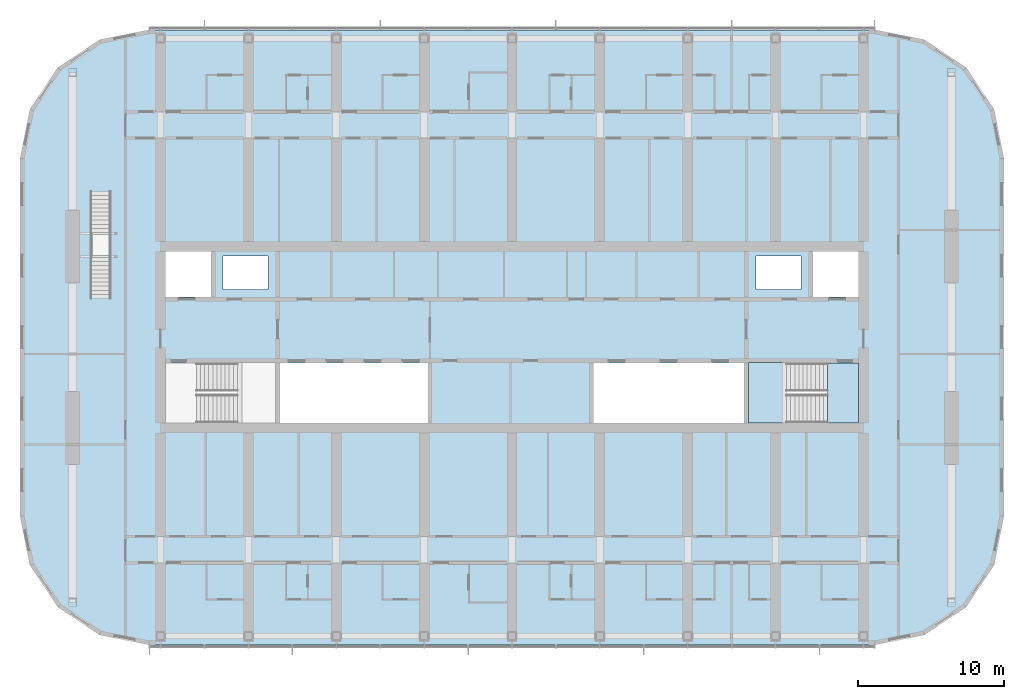
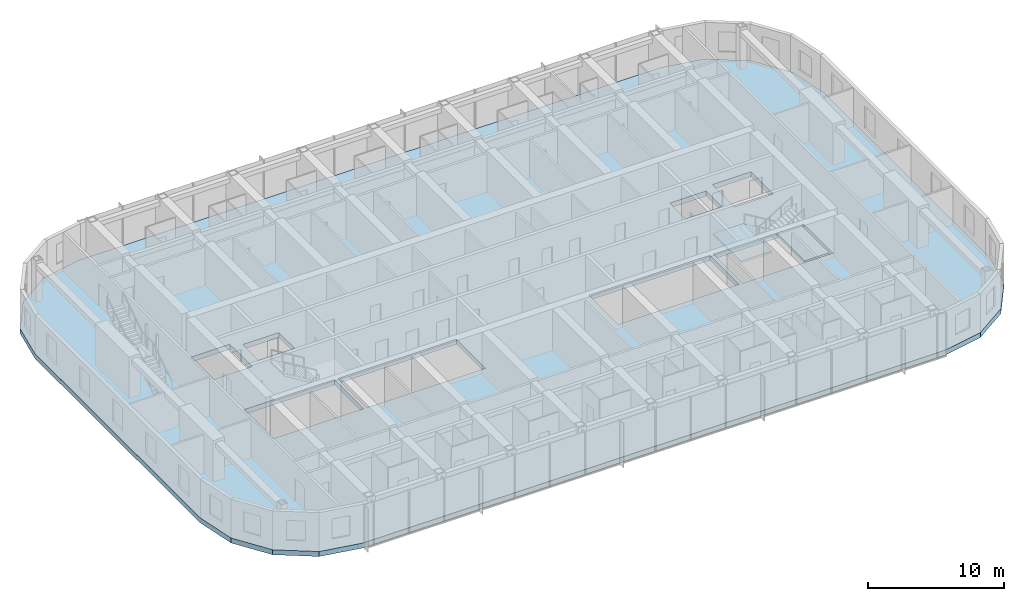
# One storey, part 11 of 28: 3 slabs, 1 element without a shape of its own.
"""IFC4 building model written with IfcOpenShell, lengths in metres."""

from ifc_helpers import new_model, si_unit, direction, frame, origin, place, context, subcontext, project, spatial, polyline, outline, extrude, material, layer, layer_set, type_object, element, aggregate, save


model = new_model("IFC4")

# Units and contexts
model_context = context("Model", 3, precision=1e-05, world=origin(), true_north=direction((0.0, 1.0)))
body_context = subcontext(model_context, "Body", "Model", "MODEL_VIEW")
ifc_project = project(units=[si_unit("LENGTHUNIT", "METRE"), si_unit("AREAUNIT", "SQUARE_METRE"), si_unit("VOLUMEUNIT", "CUBIC_METRE"), si_unit("PLANEANGLEUNIT", "RADIAN"), si_unit("MASSUNIT", "GRAM", prefix="KILO")], contexts=[model_context])

# Site, building, storey
site_placement = place(None, origin())
site = spatial("IfcSite", under=ifc_project, at=site_placement, CompositionType="ELEMENT")
building_placement = place(site_placement, origin())
building = spatial("IfcBuilding", under=site, at=building_placement, Name="Orbita Commons", CompositionType="ELEMENT")
storey_placement = place(building_placement, frame((0.0, 0.0, 216.550048828125)))
storey = spatial("IfcBuildingStorey", under=building, at=storey_placement, Name="L53", CompositionType="ELEMENT", Elevation=216.550048828125)

# Slab
ifc_material_1 = material(Name="Concrete C40/50", Category="concrete")
ifc_layer_1 = layer(ifc_material_1, 0.449951171875)
ifc_layer_set_1 = layer_set([ifc_layer_1], Name="Concrete C40/50")
slab_type_1 = type_object("IfcSlabType", Name="Floor slab 450", PredefinedType="FLOOR", material=ifc_layer_set_1)
slab_1_placement = place(storey_placement, frame((0.0, 0.0, -0.449951171875)))
element("IfcSlab", 1, at=slab_1_placement, inside=storey, type_object=slab_type_1, Name="Floor slab L53", PredefinedType="FLOOR", context=body_context, shape_type="SweptSolid", body=[
    extrude(outline(polyline([(66.800048828125, 11.0), (70.167724609375, 11.669921875), (73.0224609375, 13.577392578125), (74.93017578125, 16.432373046875), (75.60009765625, 19.800048828125), (75.60009765625, 44.199951171875), (74.93017578125, 47.567626953125), (73.0224609375, 50.422607421875), (70.167724609375, 52.330078125), (66.800048828125, 53.0), (17.199951171875, 53.0), (13.832275390625, 52.330078125), (10.9775390625, 50.422607421875), (9.06982421875, 47.567626953125), (8.39990234375, 44.199951171875), (8.39990234375, 19.800048828125), (9.06982421875, 16.432373046875), (10.9775390625, 13.577392578125), (13.832275390625, 11.669921875), (17.199951171875, 11.0), (66.800048828125, 11.0)]), holes=[polyline([(18.14990234375, 25.949951171875), (25.85009765625, 25.949951171875), (25.85009765625, 30.25), (18.14990234375, 30.25), (18.14990234375, 25.949951171875)]), polyline([(58.14990234375, 25.949951171875), (65.85009765625, 25.949951171875), (65.85009765625, 30.25), (58.14990234375, 30.25), (58.14990234375, 25.949951171875)]), polyline([(18.14990234375, 34.75), (21.449951171875, 34.75), (21.449951171875, 38.050048828125), (18.14990234375, 38.050048828125), (18.14990234375, 34.75)]), polyline([(62.550048828125, 34.75), (65.85009765625, 34.75), (65.85009765625, 38.050048828125), (62.550048828125, 38.050048828125), (62.550048828125, 34.75)]), polyline([(22.25, 35.25), (25.35009765625, 35.25), (25.35009765625, 37.550048828125), (22.25, 37.550048828125), (22.25, 35.25)]), polyline([(58.64990234375, 35.25), (61.75, 35.25), (61.75, 37.550048828125), (58.64990234375, 37.550048828125), (58.64990234375, 35.25)]), polyline([(26.14990234375, 25.949951171875), (36.25, 25.949951171875), (36.25, 30.25), (26.14990234375, 30.25), (26.14990234375, 25.949951171875)]), polyline([(47.550048828125, 25.949951171875), (57.85009765625, 25.949951171875), (57.85009765625, 30.25), (47.550048828125, 30.25), (47.550048828125, 25.949951171875)])]), origin(), (0.0, 0.0, 1.0), 0.449951171875),
])

# Stair, slabs
ifc_material_2 = material(Name="Precast concrete C40/50", Category="concrete")
stair_type = type_object("IfcStairType", Name="Exit stair S2 2 flights 11 risers 170", PredefinedType="HALF_TURN_STAIR", material=ifc_material_2)
stair_placement = place(storey_placement, origin())
stair = element("IfcStair", 2, at=stair_placement, inside=storey, type_object=stair_type, Name="Exit stair S2 L53", PredefinedType="HALF_TURN_STAIR")
ifc_material_3 = material(Name="Concrete C40/50", Category="concrete")
ifc_layer_2 = layer(ifc_material_3, 0.199951171875)
ifc_layer_set_2 = layer_set([ifc_layer_2], Name="Concrete C40/50")
slab_type_2 = type_object("IfcSlabType", Name="Stair landing 200", PredefinedType="LANDING", material=ifc_layer_set_2)
slab_2_placement = place(storey_placement, frame((0.0, 0.0, -0.199951171875)))
slab_2 = element("IfcSlab", 3, at=slab_2_placement, type_object=slab_type_2, Name="S2 landing 1", PredefinedType="LANDING", context=body_context, shape_type="SweptSolid", body=[
    extrude(outline(polyline([(63.550048828125, 26.14990234375), (65.64990234375, 26.14990234375), (65.64990234375, 30.25), (63.550048828125, 30.25), (63.550048828125, 26.14990234375)])), origin(), (0.0, 0.0, 1.0), 0.199951171875),
])
slab_3_placement = place(storey_placement, frame((0.0, 0.0, 1.675048828125)))
slab_3 = element("IfcSlab", 4, at=slab_3_placement, type_object=slab_type_2, Name="S2 landing 2", PredefinedType="LANDING", context=body_context, shape_type="SweptSolid", body=[
    extrude(outline(polyline([(58.135009765625, 26.135009765625), (60.75, 26.135009765625), (60.75, 30.264892578125), (58.135009765625, 30.264892578125), (58.135009765625, 26.135009765625)])), origin(), (0.0, 0.0, 1.0), 0.199951171875),
])
aggregate(stair, [slab_2, slab_3])

save(model, "model.ifc")
